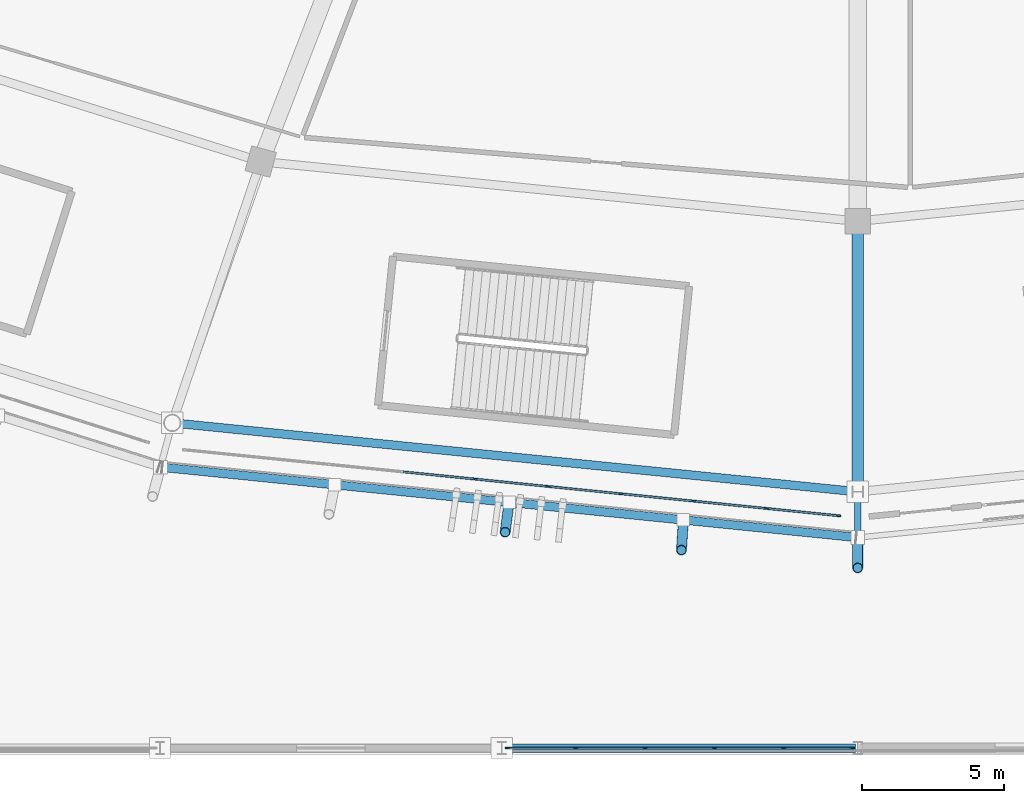
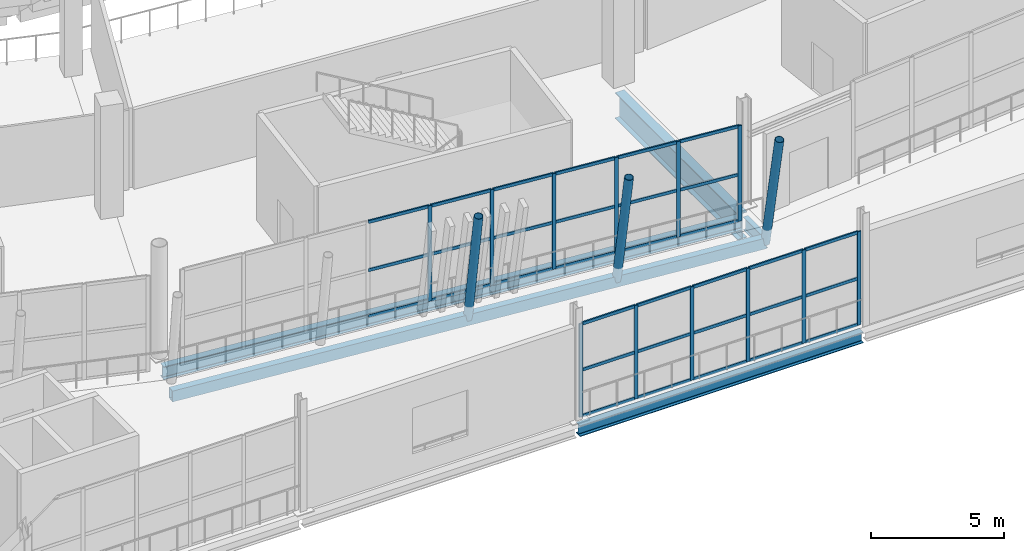
# One storey, part 36 of 178: 48 members, 5 beams, 2 elements without a shape of their own.
"""IFC4 building model written with IfcOpenShell, lengths in metres."""

from ifc_helpers import new_model, si_unit, direction, frame, origin, origin_2d, place, context, subcontext, project, spatial, rectangle, hollow_rectangle, hollow_circle, i_section, extrude, material, material_profile, profile_set, type_object, element, aggregate, save


model = new_model("IFC4")

# Units and contexts
model_context = context("Model", 3, precision=1e-05, world=origin(), true_north=direction((0.0, 1.0)))
body_context = subcontext(model_context, "Body", "Model", "MODEL_VIEW")
ifc_project = project(units=[si_unit("LENGTHUNIT", "METRE"), si_unit("AREAUNIT", "SQUARE_METRE"), si_unit("VOLUMEUNIT", "CUBIC_METRE"), si_unit("PLANEANGLEUNIT", "RADIAN"), si_unit("MASSUNIT", "GRAM", prefix="KILO")], contexts=[model_context])

# Site, building, storey
site_placement = place(None, origin())
site = spatial("IfcSite", under=ifc_project, at=site_placement, CompositionType="ELEMENT")
building_placement = place(site_placement, origin())
building = spatial("IfcBuilding", under=site, at=building_placement, Name="Zlatoyarsky Gate Stadium", CompositionType="ELEMENT")
storey_placement = place(building_placement, frame((0.0, 0.0, 5.39990234375)))
storey = spatial("IfcBuildingStorey", under=building, at=storey_placement, Name="L01", CompositionType="ELEMENT", Elevation=5.39990234375)

# Curtain wall, members
ifc_material_1 = material(Name="Thermally broken anodised aluminium curtain wall", Category="aluminium")
curtain_wall_type_1 = type_object("IfcCurtainWallType", Name="UNITISED HOSPITALITY GLAZING L01", PredefinedType="USERDEFINED", material=ifc_material_1)
curtain_wall_1_placement = place(storey_placement, origin())
curtain_wall_1 = element("IfcCurtainWall", 1, at=curtain_wall_1_placement, inside=storey, type_object=curtain_wall_type_1, Name="Curtain wall CW-L01-17", ObjectType="UNITISED GLAZING", PredefinedType="USERDEFINED")
ifc_material_2 = material(Name="Anodised aluminium 6063-T6", Category="aluminium")
ifc_material_profile_1 = material_profile(ifc_material_2, rectangle(XDim=0.06494140625, YDim=0.159912109375, at=origin_2d()), Name="ALU 65X160")
ifc_profile_set_1 = profile_set([ifc_material_profile_1], Name="Anodised aluminium 6063-T6")
member_type_1 = type_object("IfcMemberType", Name="ALUMINIUM MULLION 65X160", PredefinedType="MULLION", material=ifc_profile_set_1)
member_1_placement = place(storey_placement, frame((97.56884765625, 9.445556640625, 0.0), z_axis=(0.0, 0.0, 1.0), x_axis=(0.100300354307, 0.99495720457, 0.0)))
member_1 = element("IfcMember", 2, at=member_1_placement, type_object=member_type_1, Name="CW-UG1 mullion 5", PredefinedType="MULLION", context=body_context, shape_type="SweptSolid", body=[
    extrude(rectangle(XDim=0.06494140625, YDim=0.159912109375, at=origin_2d()), origin(), (0.0, 0.0, 1.0), 4.400146484375),
])
member_2_placement = place(storey_placement, frame((100.125732421875, 9.187744140625, 0.0), z_axis=(0.0, 0.0, 1.0), x_axis=(0.100300354307, 0.99495720457, 0.0)))
member_2 = element("IfcMember", 3, at=member_2_placement, type_object=member_type_1, Name="CW-UG1 mullion 6", PredefinedType="MULLION", context=body_context, shape_type="SweptSolid", body=[
    extrude(rectangle(XDim=0.06494140625, YDim=0.159912109375, at=origin_2d()), origin(), (0.0, 0.0, 1.0), 4.400146484375),
])
member_3_placement = place(storey_placement, frame((102.6826171875, 8.929931640625, 0.0), z_axis=(0.0, 0.0, 1.0), x_axis=(0.100300354307, 0.99495720457, 0.0)))
member_3 = element("IfcMember", 4, at=member_3_placement, type_object=member_type_1, Name="CW-UG1 mullion 7", PredefinedType="MULLION", context=body_context, shape_type="SweptSolid", body=[
    extrude(rectangle(XDim=0.06494140625, YDim=0.159912109375, at=origin_2d()), origin(), (0.0, 0.0, 1.0), 4.400146484375),
])
member_4_placement = place(storey_placement, frame((105.239501953125, 8.672119140625, 0.0), z_axis=(0.0, 0.0, 1.0), x_axis=(0.100300354307, 0.99495720457, 0.0)))
member_4 = element("IfcMember", 5, at=member_4_placement, type_object=member_type_1, Name="CW-UG1 mullion 8", PredefinedType="MULLION", context=body_context, shape_type="SweptSolid", body=[
    extrude(rectangle(XDim=0.06494140625, YDim=0.159912109375, at=origin_2d()), origin(), (0.0, 0.0, 1.0), 4.400146484375),
])
member_5_placement = place(storey_placement, frame((107.79638671875, 8.41455078125, 0.0), z_axis=(0.0, 0.0, 1.0), x_axis=(0.100300354307, 0.99495720457, 0.0)))
member_5 = element("IfcMember", 6, at=member_5_placement, type_object=member_type_1, Name="CW-UG1 mullion 9", PredefinedType="MULLION", context=body_context, shape_type="SweptSolid", body=[
    extrude(rectangle(XDim=0.06494140625, YDim=0.159912109375, at=origin_2d()), origin(), (0.0, 0.0, 1.0), 4.400146484375),
])
member_6_placement = place(storey_placement, frame((110.321044921875, 8.159912109375, 0.0), z_axis=(0.0, 0.0, 1.0), x_axis=(0.100300354307, 0.99495720457, 0.0)))
member_6 = element("IfcMember", 7, at=member_6_placement, type_object=member_type_1, Name="CW-UG1 mullion 10", PredefinedType="MULLION", context=body_context, shape_type="SweptSolid", body=[
    extrude(rectangle(XDim=0.06494140625, YDim=0.159912109375, at=origin_2d()), origin(), (0.0, 0.0, 1.0), 4.400146484375),
])

curtain_wall_type_2 = type_object("IfcCurtainWallType", Name="WINTER GARDEN CONSERVATORY GLAZING", PredefinedType="USERDEFINED", material=ifc_material_1)
curtain_wall_2_placement = place(storey_placement, origin())
curtain_wall_2 = element("IfcCurtainWall", 8, at=curtain_wall_2_placement, inside=storey, type_object=curtain_wall_type_2, Name="Curtain wall CW-V3_SOUTH-L01-158", ObjectType="UNITISED GLAZING", PredefinedType="USERDEFINED")
member_7_placement = place(storey_placement, frame((98.694580078125, 0.0, 0.0), z_axis=(0.0, 0.0, 1.0), x_axis=(0.0, 1.0, 0.0)))
member_7 = element("IfcMember", 9, at=member_7_placement, type_object=member_type_1, Name="CW-WG1 mullion 1", PredefinedType="MULLION", context=body_context, shape_type="SweptSolid", body=[
    extrude(rectangle(XDim=0.06494140625, YDim=0.159912109375, at=origin_2d()), origin(), (0.0, 0.0, 1.0), 4.300048828125),
])
member_8_placement = place(storey_placement, frame((101.09716796875, 0.0, 0.0), z_axis=(0.0, 0.0, 1.0), x_axis=(0.0, 1.0, 0.0)))
member_8 = element("IfcMember", 10, at=member_8_placement, type_object=member_type_1, Name="CW-WG1 mullion 2", PredefinedType="MULLION", context=body_context, shape_type="SweptSolid", body=[
    extrude(rectangle(XDim=0.06494140625, YDim=0.159912109375, at=origin_2d()), origin(), (0.0, 0.0, 1.0), 4.300048828125),
])
member_9_placement = place(storey_placement, frame((103.532470703125, 0.0, 0.0), z_axis=(0.0, 0.0, 1.0), x_axis=(0.0, 1.0, 0.0)))
member_9 = element("IfcMember", 11, at=member_9_placement, type_object=member_type_1, Name="CW-WG1 mullion 3", PredefinedType="MULLION", context=body_context, shape_type="SweptSolid", body=[
    extrude(rectangle(XDim=0.06494140625, YDim=0.159912109375, at=origin_2d()), origin(), (0.0, 0.0, 1.0), 4.300048828125),
])
member_10_placement = place(storey_placement, frame((105.967529296875, 0.0, 0.0), z_axis=(0.0, 0.0, 1.0), x_axis=(0.0, 1.0, 0.0)))
member_10 = element("IfcMember", 12, at=member_10_placement, type_object=member_type_1, Name="CW-WG1 mullion 4", PredefinedType="MULLION", context=body_context, shape_type="SweptSolid", body=[
    extrude(rectangle(XDim=0.06494140625, YDim=0.159912109375, at=origin_2d()), origin(), (0.0, 0.0, 1.0), 4.300048828125),
])
member_11_placement = place(storey_placement, frame((108.40283203125, 0.0, 0.0), z_axis=(0.0, 0.0, 1.0), x_axis=(0.0, 1.0, 0.0)))
member_11 = element("IfcMember", 13, at=member_11_placement, type_object=member_type_1, Name="CW-WG1 mullion 5", PredefinedType="MULLION", context=body_context, shape_type="SweptSolid", body=[
    extrude(rectangle(XDim=0.06494140625, YDim=0.159912109375, at=origin_2d()), origin(), (0.0, 0.0, 1.0), 4.300048828125),
])
member_12_placement = place(storey_placement, frame((110.805419921875, 0.0, 0.0), z_axis=(0.0, 0.0, 1.0), x_axis=(0.0, 1.0, 0.0)))
member_12 = element("IfcMember", 14, at=member_12_placement, type_object=member_type_1, Name="CW-WG1 mullion 6", PredefinedType="MULLION", context=body_context, shape_type="SweptSolid", body=[
    extrude(rectangle(XDim=0.06494140625, YDim=0.159912109375, at=origin_2d()), origin(), (0.0, 0.0, 1.0), 4.300048828125),
])

# Member
ifc_material_profile_2 = material_profile(ifc_material_2, rectangle(XDim=0.06494140625, YDim=0.139892578125, at=origin_2d()), Name="ALU 65X140")
ifc_profile_set_2 = profile_set([ifc_material_profile_2], Name="Anodised aluminium 6063-T6")
member_type_2 = type_object("IfcMemberType", Name="ALUMINIUM TRANSOM 65X140", PredefinedType="USERDEFINED", material=ifc_profile_set_2)
member_13_placement = place(storey_placement, frame((95.04443359375, 9.699951171875, 0.03271484375), z_axis=(0.994957742763, -0.10029501541, 0.0), x_axis=(0.10029501541, 0.994957742763, 0.0)))
member_13 = element("IfcMember", 15, at=member_13_placement, type_object=member_type_2, Name="CW-UG1 transom 4.1", ObjectType="TRANSOM", PredefinedType="USERDEFINED", context=body_context, shape_type="SweptSolid", body=[
    extrude(rectangle(XDim=0.06494140625, YDim=0.139892578125, at=origin_2d()), origin(), (0.0, 0.0, 1.0), 2.5048828125),
])

member_14_placement = place(storey_placement, frame((95.04443359375, 9.699951171875, 2.150146484375), z_axis=(0.994957742763, -0.10029501541, 0.0), x_axis=(0.10029501541, 0.994957742763, 0.0)))
member_14 = element("IfcMember", 16, at=member_14_placement, type_object=member_type_2, Name="CW-UG1 transom 4.2", ObjectType="TRANSOM", PredefinedType="USERDEFINED", context=body_context, shape_type="SweptSolid", body=[
    extrude(rectangle(XDim=0.06494140625, YDim=0.139892578125, at=origin_2d()), origin(), (0.0, 0.0, 1.0), 2.5048828125),
])

member_15_placement = place(storey_placement, frame((95.04443359375, 9.699951171875, 4.36767578125), z_axis=(0.994957742763, -0.10029501541, 0.0), x_axis=(0.10029501541, 0.994957742763, 0.0)))
member_15 = element("IfcMember", 17, at=member_15_placement, type_object=member_type_2, Name="CW-UG1 transom 4.3", ObjectType="TRANSOM", PredefinedType="USERDEFINED", context=body_context, shape_type="SweptSolid", body=[
    extrude(rectangle(XDim=0.06494140625, YDim=0.139892578125, at=origin_2d()), origin(), (0.0, 0.0, 1.0), 2.5048828125),
])

member_16_placement = place(storey_placement, frame((97.601318359375, 9.442138671875, 0.03271484375), z_axis=(0.994957742763, -0.10029501541, 0.0), x_axis=(0.10029501541, 0.994957742763, 0.0)))
member_16 = element("IfcMember", 18, at=member_16_placement, type_object=member_type_2, Name="CW-UG1 transom 5.1", ObjectType="TRANSOM", PredefinedType="USERDEFINED", context=body_context, shape_type="SweptSolid", body=[
    extrude(rectangle(XDim=0.06494140625, YDim=0.139892578125, at=origin_2d()), origin(), (0.0, 0.0, 1.0), 2.5048828125),
])

member_17_placement = place(storey_placement, frame((97.601318359375, 9.442138671875, 2.150146484375), z_axis=(0.994957742763, -0.10029501541, 0.0), x_axis=(0.10029501541, 0.994957742763, 0.0)))
member_17 = element("IfcMember", 19, at=member_17_placement, type_object=member_type_2, Name="CW-UG1 transom 5.2", ObjectType="TRANSOM", PredefinedType="USERDEFINED", context=body_context, shape_type="SweptSolid", body=[
    extrude(rectangle(XDim=0.06494140625, YDim=0.139892578125, at=origin_2d()), origin(), (0.0, 0.0, 1.0), 2.5048828125),
])

member_18_placement = place(storey_placement, frame((97.601318359375, 9.442138671875, 4.36767578125), z_axis=(0.994957742763, -0.10029501541, 0.0), x_axis=(0.10029501541, 0.994957742763, 0.0)))
member_18 = element("IfcMember", 20, at=member_18_placement, type_object=member_type_2, Name="CW-UG1 transom 5.3", ObjectType="TRANSOM", PredefinedType="USERDEFINED", context=body_context, shape_type="SweptSolid", body=[
    extrude(rectangle(XDim=0.06494140625, YDim=0.139892578125, at=origin_2d()), origin(), (0.0, 0.0, 1.0), 2.5048828125),
])

member_19_placement = place(storey_placement, frame((100.158203125, 9.1845703125, 0.03271484375), z_axis=(0.994948011873, -0.100391501982, 0.0), x_axis=(0.100391501982, 0.994948011873, 0.0)))
member_19 = element("IfcMember", 21, at=member_19_placement, type_object=member_type_2, Name="CW-UG1 transom 6.1", ObjectType="TRANSOM", PredefinedType="USERDEFINED", context=body_context, shape_type="SweptSolid", body=[
    extrude(rectangle(XDim=0.06494140625, YDim=0.139892578125, at=origin_2d()), origin(), (0.0, 0.0, 1.0), 2.5048828125),
])

member_20_placement = place(storey_placement, frame((100.158203125, 9.1845703125, 2.150146484375), z_axis=(0.994948011873, -0.100391501982, 0.0), x_axis=(0.100391501982, 0.994948011873, 0.0)))
member_20 = element("IfcMember", 22, at=member_20_placement, type_object=member_type_2, Name="CW-UG1 transom 6.2", ObjectType="TRANSOM", PredefinedType="USERDEFINED", context=body_context, shape_type="SweptSolid", body=[
    extrude(rectangle(XDim=0.06494140625, YDim=0.139892578125, at=origin_2d()), origin(), (0.0, 0.0, 1.0), 2.5048828125),
])

member_21_placement = place(storey_placement, frame((100.158203125, 9.1845703125, 4.36767578125), z_axis=(0.994948011873, -0.100391501982, 0.0), x_axis=(0.100391501982, 0.994948011873, 0.0)))
member_21 = element("IfcMember", 23, at=member_21_placement, type_object=member_type_2, Name="CW-UG1 transom 6.3", ObjectType="TRANSOM", PredefinedType="USERDEFINED", context=body_context, shape_type="SweptSolid", body=[
    extrude(rectangle(XDim=0.06494140625, YDim=0.139892578125, at=origin_2d()), origin(), (0.0, 0.0, 1.0), 2.5048828125),
])

member_22_placement = place(storey_placement, frame((102.715087890625, 8.9267578125, 0.03271484375), z_axis=(0.994957742763, -0.10029501541, 0.0), x_axis=(0.10029501541, 0.994957742763, 0.0)))
member_22 = element("IfcMember", 24, at=member_22_placement, type_object=member_type_2, Name="CW-UG1 transom 7.1", ObjectType="TRANSOM", PredefinedType="USERDEFINED", context=body_context, shape_type="SweptSolid", body=[
    extrude(rectangle(XDim=0.06494140625, YDim=0.139892578125, at=origin_2d()), origin(), (0.0, 0.0, 1.0), 2.5048828125),
])

member_23_placement = place(storey_placement, frame((102.715087890625, 8.9267578125, 2.150146484375), z_axis=(0.994957742763, -0.10029501541, 0.0), x_axis=(0.10029501541, 0.994957742763, 0.0)))
member_23 = element("IfcMember", 25, at=member_23_placement, type_object=member_type_2, Name="CW-UG1 transom 7.2", ObjectType="TRANSOM", PredefinedType="USERDEFINED", context=body_context, shape_type="SweptSolid", body=[
    extrude(rectangle(XDim=0.06494140625, YDim=0.139892578125, at=origin_2d()), origin(), (0.0, 0.0, 1.0), 2.5048828125),
])

member_24_placement = place(storey_placement, frame((102.715087890625, 8.9267578125, 4.36767578125), z_axis=(0.994957742763, -0.10029501541, 0.0), x_axis=(0.10029501541, 0.994957742763, 0.0)))
member_24 = element("IfcMember", 26, at=member_24_placement, type_object=member_type_2, Name="CW-UG1 transom 7.3", ObjectType="TRANSOM", PredefinedType="USERDEFINED", context=body_context, shape_type="SweptSolid", body=[
    extrude(rectangle(XDim=0.06494140625, YDim=0.139892578125, at=origin_2d()), origin(), (0.0, 0.0, 1.0), 2.5048828125),
])

member_25_placement = place(storey_placement, frame((105.27197265625, 8.6689453125, 0.03271484375), z_axis=(0.994957742763, -0.10029501541, 0.0), x_axis=(0.10029501541, 0.994957742763, 0.0)))
member_25 = element("IfcMember", 27, at=member_25_placement, type_object=member_type_2, Name="CW-UG1 transom 8.1", ObjectType="TRANSOM", PredefinedType="USERDEFINED", context=body_context, shape_type="SweptSolid", body=[
    extrude(rectangle(XDim=0.06494140625, YDim=0.139892578125, at=origin_2d()), origin(), (0.0, 0.0, 1.0), 2.5048828125),
])

member_26_placement = place(storey_placement, frame((105.27197265625, 8.6689453125, 2.150146484375), z_axis=(0.994957742763, -0.10029501541, 0.0), x_axis=(0.10029501541, 0.994957742763, 0.0)))
member_26 = element("IfcMember", 28, at=member_26_placement, type_object=member_type_2, Name="CW-UG1 transom 8.2", ObjectType="TRANSOM", PredefinedType="USERDEFINED", context=body_context, shape_type="SweptSolid", body=[
    extrude(rectangle(XDim=0.06494140625, YDim=0.139892578125, at=origin_2d()), origin(), (0.0, 0.0, 1.0), 2.5048828125),
])

member_27_placement = place(storey_placement, frame((105.27197265625, 8.6689453125, 4.36767578125), z_axis=(0.994957742763, -0.10029501541, 0.0), x_axis=(0.10029501541, 0.994957742763, 0.0)))
member_27 = element("IfcMember", 29, at=member_27_placement, type_object=member_type_2, Name="CW-UG1 transom 8.3", ObjectType="TRANSOM", PredefinedType="USERDEFINED", context=body_context, shape_type="SweptSolid", body=[
    extrude(rectangle(XDim=0.06494140625, YDim=0.139892578125, at=origin_2d()), origin(), (0.0, 0.0, 1.0), 2.5048828125),
])

member_28_placement = place(storey_placement, frame((107.828857421875, 8.4111328125, 0.03271484375), z_axis=(0.994963586545, -0.100237026337, 0.0), x_axis=(0.100237026337, 0.994963586545, 0.0)))
member_28 = element("IfcMember", 30, at=member_28_placement, type_object=member_type_2, Name="CW-UG1 transom 9.1", ObjectType="TRANSOM", PredefinedType="USERDEFINED", context=body_context, shape_type="SweptSolid", body=[
    extrude(rectangle(XDim=0.06494140625, YDim=0.139892578125, at=origin_2d()), origin(), (0.0, 0.0, 1.0), 2.47216796875),
])

member_29_placement = place(storey_placement, frame((107.828857421875, 8.4111328125, 2.150146484375), z_axis=(0.994963586545, -0.100237026337, 0.0), x_axis=(0.100237026337, 0.994963586545, 0.0)))
member_29 = element("IfcMember", 31, at=member_29_placement, type_object=member_type_2, Name="CW-UG1 transom 9.2", ObjectType="TRANSOM", PredefinedType="USERDEFINED", context=body_context, shape_type="SweptSolid", body=[
    extrude(rectangle(XDim=0.06494140625, YDim=0.139892578125, at=origin_2d()), origin(), (0.0, 0.0, 1.0), 2.47216796875),
])

member_30_placement = place(storey_placement, frame((107.828857421875, 8.4111328125, 4.36767578125), z_axis=(0.994963586545, -0.100237026337, 0.0), x_axis=(0.100237026337, 0.994963586545, 0.0)))
member_30 = element("IfcMember", 32, at=member_30_placement, type_object=member_type_2, Name="CW-UG1 transom 9.3", ObjectType="TRANSOM", PredefinedType="USERDEFINED", context=body_context, shape_type="SweptSolid", body=[
    extrude(rectangle(XDim=0.06494140625, YDim=0.139892578125, at=origin_2d()), origin(), (0.0, 0.0, 1.0), 2.47216796875),
])

aggregate(curtain_wall_1, [member_1, member_2, member_3, member_4, member_5, member_6, member_13, member_14, member_15, member_16, member_17, member_18, member_19, member_20, member_21, member_22, member_23, member_24, member_25, member_26, member_27, member_28, member_29, member_30])

member_31_placement = place(storey_placement, frame((98.72705078125, 0.0, 0.03271484375), z_axis=(1.0, 0.0, 0.0), x_axis=(0.0, 1.0, 0.0)))
member_31 = element("IfcMember", 33, at=member_31_placement, type_object=member_type_2, Name="CW-WG1 transom 1.1", ObjectType="TRANSOM", PredefinedType="USERDEFINED", context=body_context, shape_type="SweptSolid", body=[
    extrude(rectangle(XDim=0.06494140625, YDim=0.139892578125, at=origin_2d()), origin(), (0.0, 0.0, 1.0), 2.337646484375),
])

member_32_placement = place(storey_placement, frame((98.72705078125, 0.0, 2.150146484375), z_axis=(1.0, 0.0, 0.0), x_axis=(0.0, 1.0, 0.0)))
member_32 = element("IfcMember", 34, at=member_32_placement, type_object=member_type_2, Name="CW-WG1 transom 1.2", ObjectType="TRANSOM", PredefinedType="USERDEFINED", context=body_context, shape_type="SweptSolid", body=[
    extrude(rectangle(XDim=0.06494140625, YDim=0.139892578125, at=origin_2d()), origin(), (0.0, 0.0, 1.0), 2.337646484375),
])

member_33_placement = place(storey_placement, frame((98.72705078125, 0.0, 4.267578125), z_axis=(1.0, 0.0, 0.0), x_axis=(0.0, 1.0, 0.0)))
member_33 = element("IfcMember", 35, at=member_33_placement, type_object=member_type_2, Name="CW-WG1 transom 1.3", ObjectType="TRANSOM", PredefinedType="USERDEFINED", context=body_context, shape_type="SweptSolid", body=[
    extrude(rectangle(XDim=0.06494140625, YDim=0.139892578125, at=origin_2d()), origin(), (0.0, 0.0, 1.0), 2.337646484375),
])

member_34_placement = place(storey_placement, frame((101.129638671875, 0.0, 0.03271484375), z_axis=(1.0, 0.0, 0.0), x_axis=(0.0, 1.0, 0.0)))
member_34 = element("IfcMember", 36, at=member_34_placement, type_object=member_type_2, Name="CW-WG1 transom 2.1", ObjectType="TRANSOM", PredefinedType="USERDEFINED", context=body_context, shape_type="SweptSolid", body=[
    extrude(rectangle(XDim=0.06494140625, YDim=0.139892578125, at=origin_2d()), origin(), (0.0, 0.0, 1.0), 2.370361328125),
])

member_35_placement = place(storey_placement, frame((101.129638671875, 0.0, 2.150146484375), z_axis=(1.0, 0.0, 0.0), x_axis=(0.0, 1.0, 0.0)))
member_35 = element("IfcMember", 37, at=member_35_placement, type_object=member_type_2, Name="CW-WG1 transom 2.2", ObjectType="TRANSOM", PredefinedType="USERDEFINED", context=body_context, shape_type="SweptSolid", body=[
    extrude(rectangle(XDim=0.06494140625, YDim=0.139892578125, at=origin_2d()), origin(), (0.0, 0.0, 1.0), 2.370361328125),
])

member_36_placement = place(storey_placement, frame((101.129638671875, 0.0, 4.267578125), z_axis=(1.0, 0.0, 0.0), x_axis=(0.0, 1.0, 0.0)))
member_36 = element("IfcMember", 38, at=member_36_placement, type_object=member_type_2, Name="CW-WG1 transom 2.3", ObjectType="TRANSOM", PredefinedType="USERDEFINED", context=body_context, shape_type="SweptSolid", body=[
    extrude(rectangle(XDim=0.06494140625, YDim=0.139892578125, at=origin_2d()), origin(), (0.0, 0.0, 1.0), 2.370361328125),
])

member_37_placement = place(storey_placement, frame((103.56494140625, 0.0, 0.03271484375), z_axis=(1.0, 0.0, 0.0), x_axis=(0.0, 1.0, 0.0)))
member_37 = element("IfcMember", 39, at=member_37_placement, type_object=member_type_2, Name="CW-WG1 transom 3.1", ObjectType="TRANSOM", PredefinedType="USERDEFINED", context=body_context, shape_type="SweptSolid", body=[
    extrude(rectangle(XDim=0.06494140625, YDim=0.139892578125, at=origin_2d()), origin(), (0.0, 0.0, 1.0), 2.3701171875),
])

member_38_placement = place(storey_placement, frame((103.56494140625, 0.0, 2.150146484375), z_axis=(1.0, 0.0, 0.0), x_axis=(0.0, 1.0, 0.0)))
member_38 = element("IfcMember", 40, at=member_38_placement, type_object=member_type_2, Name="CW-WG1 transom 3.2", ObjectType="TRANSOM", PredefinedType="USERDEFINED", context=body_context, shape_type="SweptSolid", body=[
    extrude(rectangle(XDim=0.06494140625, YDim=0.139892578125, at=origin_2d()), origin(), (0.0, 0.0, 1.0), 2.3701171875),
])

member_39_placement = place(storey_placement, frame((103.56494140625, 0.0, 4.267578125), z_axis=(1.0, 0.0, 0.0), x_axis=(0.0, 1.0, 0.0)))
member_39 = element("IfcMember", 41, at=member_39_placement, type_object=member_type_2, Name="CW-WG1 transom 3.3", ObjectType="TRANSOM", PredefinedType="USERDEFINED", context=body_context, shape_type="SweptSolid", body=[
    extrude(rectangle(XDim=0.06494140625, YDim=0.139892578125, at=origin_2d()), origin(), (0.0, 0.0, 1.0), 2.3701171875),
])

member_40_placement = place(storey_placement, frame((106.0, 0.0, 0.03271484375), z_axis=(1.0, 0.0, 0.0), x_axis=(0.0, 1.0, 0.0)))
member_40 = element("IfcMember", 42, at=member_40_placement, type_object=member_type_2, Name="CW-WG1 transom 4.1", ObjectType="TRANSOM", PredefinedType="USERDEFINED", context=body_context, shape_type="SweptSolid", body=[
    extrude(rectangle(XDim=0.06494140625, YDim=0.139892578125, at=origin_2d()), origin(), (0.0, 0.0, 1.0), 2.370361328125),
])

member_41_placement = place(storey_placement, frame((106.0, 0.0, 2.150146484375), z_axis=(1.0, 0.0, 0.0), x_axis=(0.0, 1.0, 0.0)))
member_41 = element("IfcMember", 43, at=member_41_placement, type_object=member_type_2, Name="CW-WG1 transom 4.2", ObjectType="TRANSOM", PredefinedType="USERDEFINED", context=body_context, shape_type="SweptSolid", body=[
    extrude(rectangle(XDim=0.06494140625, YDim=0.139892578125, at=origin_2d()), origin(), (0.0, 0.0, 1.0), 2.370361328125),
])

member_42_placement = place(storey_placement, frame((106.0, 0.0, 4.267578125), z_axis=(1.0, 0.0, 0.0), x_axis=(0.0, 1.0, 0.0)))
member_42 = element("IfcMember", 44, at=member_42_placement, type_object=member_type_2, Name="CW-WG1 transom 4.3", ObjectType="TRANSOM", PredefinedType="USERDEFINED", context=body_context, shape_type="SweptSolid", body=[
    extrude(rectangle(XDim=0.06494140625, YDim=0.139892578125, at=origin_2d()), origin(), (0.0, 0.0, 1.0), 2.370361328125),
])

member_43_placement = place(storey_placement, frame((108.435302734375, 0.0, 0.03271484375), z_axis=(1.0, 0.0, 0.0), x_axis=(0.0, 1.0, 0.0)))
member_43 = element("IfcMember", 45, at=member_43_placement, type_object=member_type_2, Name="CW-WG1 transom 5.1", ObjectType="TRANSOM", PredefinedType="USERDEFINED", context=body_context, shape_type="SweptSolid", body=[
    extrude(rectangle(XDim=0.06494140625, YDim=0.139892578125, at=origin_2d()), origin(), (0.0, 0.0, 1.0), 2.337646484375),
])

member_44_placement = place(storey_placement, frame((108.435302734375, 0.0, 2.150146484375), z_axis=(1.0, 0.0, 0.0), x_axis=(0.0, 1.0, 0.0)))
member_44 = element("IfcMember", 46, at=member_44_placement, type_object=member_type_2, Name="CW-WG1 transom 5.2", ObjectType="TRANSOM", PredefinedType="USERDEFINED", context=body_context, shape_type="SweptSolid", body=[
    extrude(rectangle(XDim=0.06494140625, YDim=0.139892578125, at=origin_2d()), origin(), (0.0, 0.0, 1.0), 2.337646484375),
])

member_45_placement = place(storey_placement, frame((108.435302734375, 0.0, 4.267578125), z_axis=(1.0, 0.0, 0.0), x_axis=(0.0, 1.0, 0.0)))
member_45 = element("IfcMember", 47, at=member_45_placement, type_object=member_type_2, Name="CW-WG1 transom 5.3", ObjectType="TRANSOM", PredefinedType="USERDEFINED", context=body_context, shape_type="SweptSolid", body=[
    extrude(rectangle(XDim=0.06494140625, YDim=0.139892578125, at=origin_2d()), origin(), (0.0, 0.0, 1.0), 2.337646484375),
])

aggregate(curtain_wall_2, [member_7, member_8, member_9, member_10, member_11, member_12, member_31, member_32, member_33, member_34, member_35, member_36, member_37, member_38, member_39, member_40, member_41, member_42, member_43, member_44, member_45])

# Beam
ifc_material_3 = material(Name="Steel S355", Category="steel")
ifc_material_profile_3 = material_profile(ifc_material_3, i_section(OverallWidth=0.219970703125, OverallDepth=0.60009765625, WebThickness=0.011962890625, FlangeThickness=0.01904296875, FilletRadius=0.02392578125, at=origin_2d()), Name="IPE 600")
ifc_profile_set_3 = profile_set([ifc_material_profile_3], Name="Steel S355")
beam_type_1 = type_object("IfcBeamType", Name="STEEL CANTILEVER FLOOR BEAM IPE 600", PredefinedType="BEAM", material=ifc_profile_set_3)
beam_1_placement = place(storey_placement, frame((111.0, 8.8798828125, -0.760009765625), z_axis=(0.0, -1.0, 0.0), x_axis=(1.0, 0.0, 0.0)))
element("IfcBeam", 48, at=beam_1_placement, inside=storey, type_object=beam_type_1, Name="Beam B-IPE600 BM-L01-OUT-18", PredefinedType="BEAM", context=body_context, shape_type="SweptSolid", body=[
    extrude(i_section(OverallWidth=0.219970703125, OverallDepth=0.60009765625, WebThickness=0.011962890625, FlangeThickness=0.01904296875, FilletRadius=0.02392578125, at=origin_2d()), origin(), (0.0, 0.0, 1.0), 1.48828125),
])

# Members
ifc_material_profile_4 = material_profile(ifc_material_3, hollow_circle(Radius=0.177734375, WallThickness=0.02001953125, at=origin_2d()), Name="CHS 355.6X20")
ifc_profile_set_4 = profile_set([ifc_material_profile_4], Name="Steel S355")
member_type_3 = type_object("IfcMemberType", Name="STEEL LEANING RIB RING STRUT CHS 355.6X20", PredefinedType="STRUT", material=ifc_profile_set_4)
member_46_placement = place(storey_placement, frame((111.0, 7.3916015625, -0.760009765625), z_axis=(0.0, -0.19460082495, 0.980882520452), x_axis=(1.0, 0.0, 0.0)))
element("IfcMember", 49, at=member_46_placement, inside=storey, type_object=member_type_3, Name="Leaning ring strut 18 L01 to L02", PredefinedType="STRUT", context=body_context, shape_type="SweptSolid", body=[
    extrude(hollow_circle(Radius=0.177734375, WallThickness=0.02001953125, at=origin_2d()), origin(), (0.0, 0.0, 1.0), 5.485107421875),
])
member_47_placement = place(storey_placement, frame((98.756591796875, 8.628662109375, -0.7099609375), z_axis=(-0.025156585677, -0.191368150867, 0.981195891263), x_axis=(0.991469991675, -0.130335166425, 0.0)))
element("IfcMember", 50, at=member_47_placement, inside=storey, type_object=member_type_3, Name="Outward-leaning bowl louvre fin rib L01 17-2", PredefinedType="STRUT", context=body_context, shape_type="SweptSolid", body=[
    extrude(hollow_circle(Radius=0.177734375, WallThickness=0.02001953125, at=origin_2d()), origin(), (0.0, 0.0, 1.0), 5.483154296875),
])
member_48_placement = place(storey_placement, frame((104.87841796875, 8.010009765625, -0.7099609375), z_axis=(-0.012599552655, -0.193000214699, 0.981117815759), x_axis=(0.99787587919, -0.065143915527, 0.0)))
element("IfcMember", 51, at=member_48_placement, inside=storey, type_object=member_type_3, Name="Outward-leaning bowl louvre fin rib L01 17-3", PredefinedType="STRUT", context=body_context, shape_type="SweptSolid", body=[
    extrude(hollow_circle(Radius=0.177734375, WallThickness=0.02001953125, at=origin_2d()), origin(), (0.0, 0.0, 1.0), 5.483642578125),
])

# Beams
ifc_material_profile_5 = material_profile(ifc_material_3, hollow_rectangle(XDim=0.300048828125, YDim=0.5, WallThickness=0.02001953125, at=origin_2d()), Name="RHS 500X300X20")
ifc_profile_set_5 = profile_set([ifc_material_profile_5], Name="Steel S355")
beam_type_2 = type_object("IfcBeamType", Name="STEEL LOUVRE CARRIER SPANDREL RHS 500X300X20", PredefinedType="SPANDREL", material=ifc_profile_set_5)
beam_2_placement = place(storey_placement, frame((86.533447265625, 9.863525390625, -0.7099609375), z_axis=(0.994934649728, -0.100523841803, 0.0), x_axis=(0.100523841803, 0.994934649728, 0.0)))
element("IfcBeam", 52, at=beam_2_placement, inside=storey, type_object=beam_type_2, Name="Beam SP-RHS500 BM-L01-SPD-17", PredefinedType="SPANDREL", context=body_context, shape_type="SweptSolid", body=[
    extrude(hollow_rectangle(XDim=0.300048828125, YDim=0.5, WallThickness=0.02001953125, at=origin_2d()), origin(), (0.0, 0.0, 1.0), 24.571044921875),
])
ifc_material_profile_6 = material_profile(ifc_material_3, i_section(OverallWidth=0.39990234375, OverallDepth=1.199951171875, WebThickness=0.02001953125, FlangeThickness=0.035888671875, at=origin_2d()), Name="PG 1200X400")
ifc_profile_set_6 = profile_set([ifc_material_profile_6], Name="Steel S355")
beam_type_3 = type_object("IfcBeamType", Name="STEEL PORTAL TRANSFER GIRDER PG 1200X400", PredefinedType="BEAM", material=ifc_profile_set_6)
beam_3_placement = place(storey_placement, frame((111.0, 18.3798828125, -1.059814453125), z_axis=(0.0, -1.0, 0.0), x_axis=(1.0, 0.0, 0.0)))
element("IfcBeam", 53, at=beam_3_placement, inside=storey, type_object=beam_type_3, Name="Beam G-PG1200 BM-L01-RBC-18", PredefinedType="BEAM", context=body_context, shape_type="SweptSolid", body=[
    extrude(i_section(OverallWidth=0.39990234375, OverallDepth=1.199951171875, WebThickness=0.02001953125, FlangeThickness=0.035888671875, at=origin_2d()), origin(), (0.0, 0.0, 1.0), 9.259765625),
])
ifc_material_profile_7 = material_profile(ifc_material_3, i_section(OverallWidth=0.300048828125, OverallDepth=0.5, WebThickness=0.014404296875, FlangeThickness=0.028076171875, FilletRadius=0.027099609375, at=origin_2d()), Name="HEB 500")
ifc_profile_set_7 = profile_set([ifc_material_profile_7], Name="Steel S355")
beam_type_4 = type_object("IfcBeamType", Name="STEEL PRIMARY GIRDER HEB 500", PredefinedType="BEAM", material=ifc_profile_set_7)
beam_4_placement = place(storey_placement, frame((98.580078125, 0.0, -0.5498046875), z_axis=(1.0, 0.0, 0.0), x_axis=(0.0, 1.0, 0.0)))
element("IfcBeam", 54, at=beam_4_placement, inside=storey, type_object=beam_type_4, Name="Beam G-HEB500 BM-L01-WGX-9-A", PredefinedType="BEAM", context=body_context, shape_type="SweptSolid", body=[
    extrude(i_section(OverallWidth=0.300048828125, OverallDepth=0.5, WebThickness=0.014404296875, FlangeThickness=0.028076171875, FilletRadius=0.027099609375, at=origin_2d()), origin(), (0.0, 0.0, 1.0), 12.33984375),
])
ifc_material_profile_8 = material_profile(ifc_material_3, i_section(OverallWidth=0.300048828125, OverallDepth=0.60009765625, WebThickness=0.015380859375, FlangeThickness=0.030029296875, FilletRadius=0.027099609375, at=origin_2d()), Name="HEB 600")
ifc_profile_set_8 = profile_set([ifc_material_profile_8], Name="Steel S355")
beam_type_5 = type_object("IfcBeamType", Name="STEEL PRIMARY GIRDER HEB 600", PredefinedType="BEAM", material=ifc_profile_set_8)
beam_5_placement = place(storey_placement, frame((87.04931640625, 11.4072265625, -0.760009765625), z_axis=(0.994986905268, -0.100005291586, 0.0), x_axis=(0.100005291586, 0.994986905268, 0.0)))
element("IfcBeam", 55, at=beam_5_placement, inside=storey, type_object=beam_type_5, Name="Beam G-HEB600 BM-L01-CRC-17", PredefinedType="BEAM", context=body_context, shape_type="SweptSolid", body=[
    extrude(i_section(OverallWidth=0.300048828125, OverallDepth=0.60009765625, WebThickness=0.015380859375, FlangeThickness=0.030029296875, FilletRadius=0.027099609375, at=origin_2d()), origin(), (0.0, 0.0, 1.0), 23.951416015625),
])

save(model, "model.ifc")
